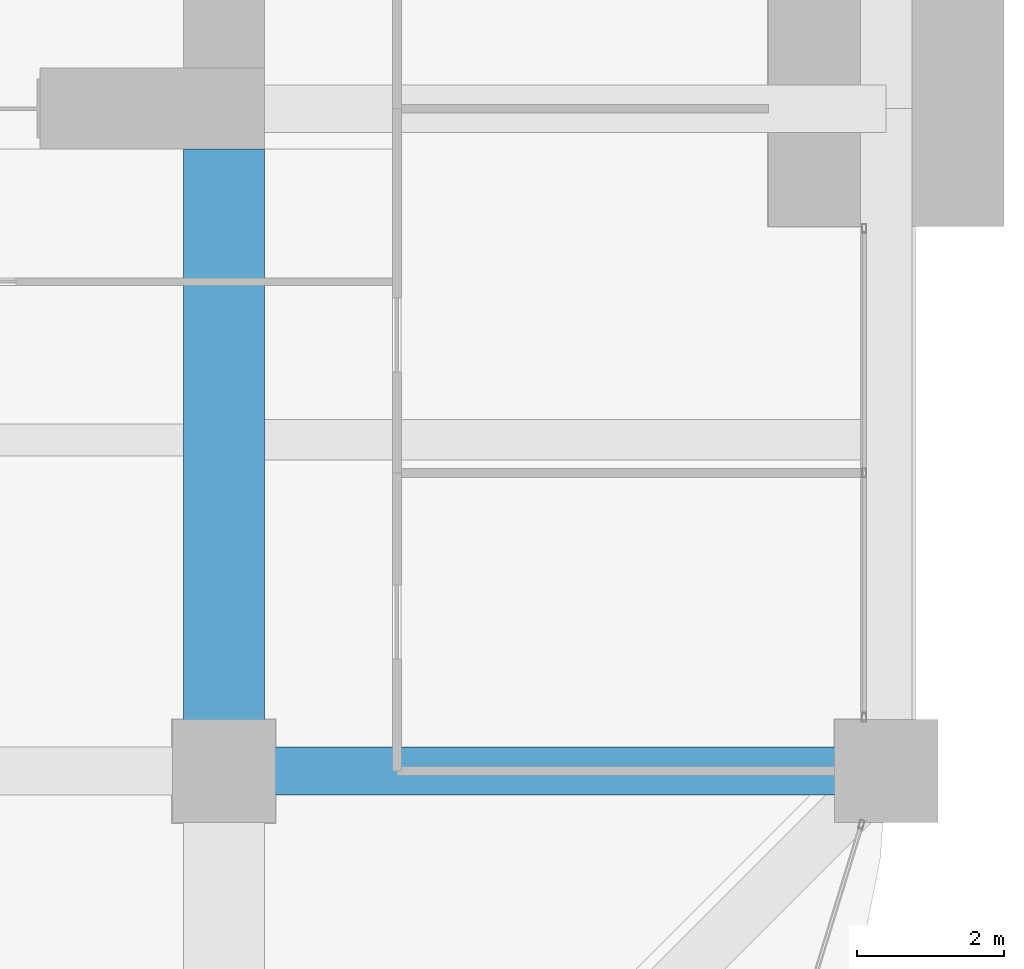
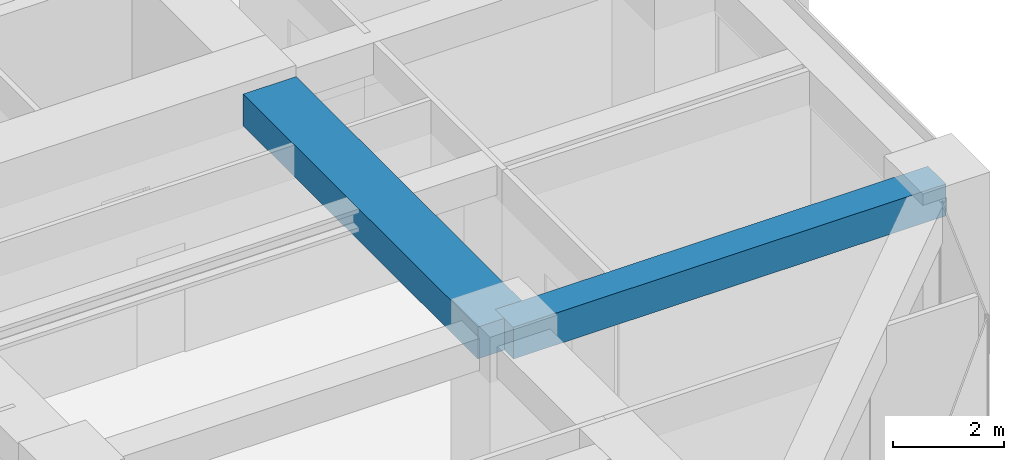
# One storey, part 20 of 43: 2 beams.
"""IFC4 building model written with IfcOpenShell, lengths in metres."""

from ifc_helpers import new_model, si_unit, direction, frame, origin, origin_2d, place, context, subcontext, project, spatial, rectangle, extrude, material, material_profile, profile_set, type_object, element, save


model = new_model("IFC4")

# Units and contexts
model_context = context("Model", 3, precision=1e-05, world=origin(), true_north=direction((0.0, 1.0)))
body_context = subcontext(model_context, "Body", "Model", "MODEL_VIEW")
ifc_project = project(units=[si_unit("LENGTHUNIT", "METRE"), si_unit("AREAUNIT", "SQUARE_METRE"), si_unit("VOLUMEUNIT", "CUBIC_METRE"), si_unit("PLANEANGLEUNIT", "RADIAN"), si_unit("MASSUNIT", "GRAM", prefix="KILO")], contexts=[model_context])

# Site, building, storey
site_placement = place(None, origin())
site = spatial("IfcSite", under=ifc_project, at=site_placement, CompositionType="ELEMENT")
building_placement = place(site_placement, origin())
building = spatial("IfcBuilding", under=site, at=building_placement, Name="Zorevar Civic Tower", CompositionType="ELEMENT")
storey_placement = place(building_placement, frame((0.0, 0.0, 243.39990234375)))
storey = spatial("IfcBuildingStorey", under=building, at=storey_placement, Name="L59", CompositionType="ELEMENT", Elevation=243.39990234375)

# Beams
ifc_material_1 = material(Name="Concrete C50/60", Category="concrete")
ifc_material_profile_1 = material_profile(ifc_material_1, rectangle(XDim=1.10009765625, YDim=0.699951171875, at=origin_2d()), Name="RC 1100x700")
ifc_profile_set_1 = profile_set([ifc_material_profile_1], Name="Concrete C50/60")
beam_type_1 = type_object("IfcBeamType", Name="Beam RC 1100x700", PredefinedType="BEAM", material=ifc_profile_set_1)
beam_1_placement = place(storey_placement, frame((45.0, 9.0, 3.400146484375), z_axis=(0.0, 1.0, 0.0), x_axis=(-1.0, 0.0, 0.0)))
element("IfcBeam", 1, at=beam_1_placement, inside=storey, type_object=beam_type_1, Name="Girder L60", PredefinedType="BEAM", context=body_context, shape_type="SweptSolid", body=[
    extrude(rectangle(XDim=1.10009765625, YDim=0.699951171875, at=origin_2d()), origin(), (0.0, 0.0, 1.0), 8.449951171875),
])
ifc_material_2 = material(Name="Concrete C50/60", Category="concrete")
ifc_material_profile_2 = material_profile(ifc_material_2, rectangle(XDim=0.64990234375, YDim=0.699951171875, at=origin_2d()), Name="RC 650x700")
ifc_profile_set_2 = profile_set([ifc_material_profile_2], Name="Concrete C50/60")
beam_type_2 = type_object("IfcBeamType", Name="Beam RC 650x700", PredefinedType="BEAM", material=ifc_profile_set_2)
beam_2_placement = place(storey_placement, frame((45.0, 9.0, 3.400146484375), z_axis=(1.0, 0.0, 0.0), x_axis=(0.0, 1.0, 0.0)))
element("IfcBeam", 2, at=beam_2_placement, inside=storey, type_object=beam_type_2, Name="Girder L60", PredefinedType="BEAM", context=body_context, shape_type="SweptSolid", body=[
    extrude(rectangle(XDim=0.64990234375, YDim=0.699951171875, at=origin_2d()), origin(), (0.0, 0.0, 1.0), 9.0),
])

save(model, "model.ifc")
